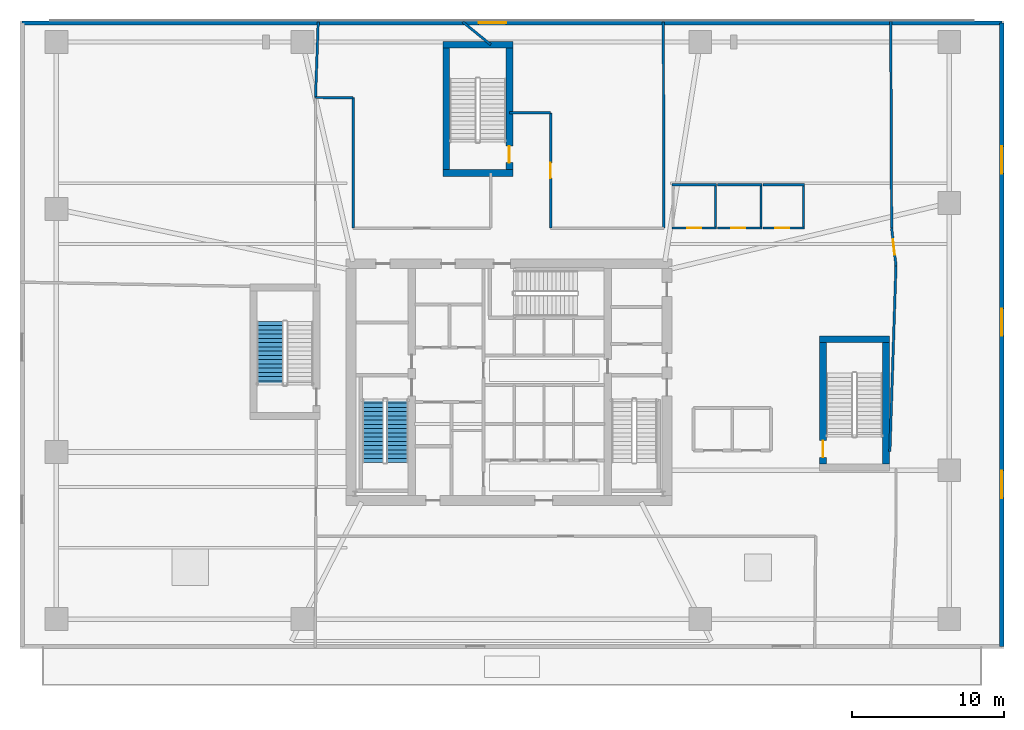
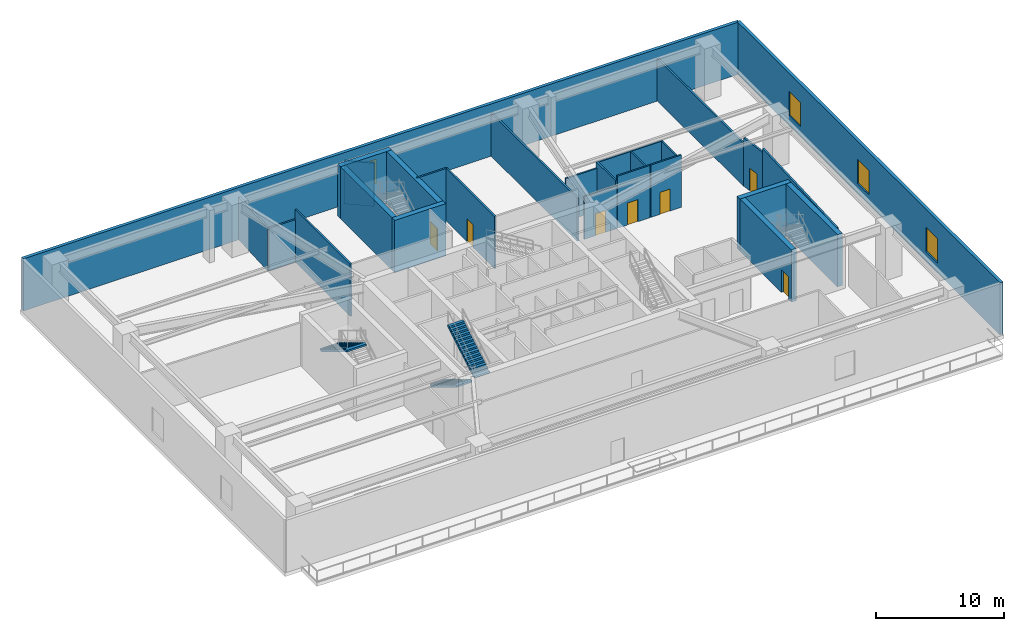
# One storey, part 6 of 11: 28 walls, 7 doors, 4 windows, 3 stair flights, 11 openings, 2 elements without a shape of their own.
"""IFC4 building model written with IfcOpenShell, lengths in metres."""

from ifc_helpers import new_model, si_unit, direction, frame, frame_2d, origin, place, context, subcontext, project, spatial, polyline, rectangle, outline, extrude, material, layer, layer_set, type_object, element, fill, aggregate, save


model = new_model("IFC4")

# Units and contexts
model_context = context("Model", 3, precision=1e-05, world=origin(), true_north=direction((0.0, 1.0)))
body_context = subcontext(model_context, "Body", "Model", "MODEL_VIEW")
ifc_project = project(units=[si_unit("LENGTHUNIT", "METRE"), si_unit("AREAUNIT", "SQUARE_METRE"), si_unit("VOLUMEUNIT", "CUBIC_METRE"), si_unit("PLANEANGLEUNIT", "RADIAN"), si_unit("MASSUNIT", "GRAM", prefix="KILO")], contexts=[model_context])

# Site, building, storey
site_placement = place(None, origin())
site = spatial("IfcSite", under=ifc_project, at=site_placement, CompositionType="ELEMENT")
building_placement = place(site_placement, origin())
building = spatial("IfcBuilding", under=site, at=building_placement, Name="Qarnah Convention Tower", CompositionType="ELEMENT")
storey_placement = place(building_placement, frame((0.0, 0.0, 16.199951171875)))
storey = spatial("IfcBuildingStorey", under=building, at=storey_placement, Name="L03", CompositionType="ELEMENT", Elevation=16.199951171875)

# Walls
ifc_material_1 = material(Name="Gypsum partition board")
ifc_layer_1 = layer(ifc_material_1, 0.159912109375)
ifc_layer_set_1 = layer_set([ifc_layer_1], Name="Gypsum partition board")
wall_type_1 = type_object("IfcWallType", Name="WL-CORR-160", PredefinedType="PARTITIONING", material=ifc_layer_set_1)
wall_1_placement = place(storey_placement, frame((24.4599609375, 45.139892578125, 0.0), z_axis=(0.0, 0.0, 1.0), x_axis=(0.035456038504, 0.999371236995, 0.0)))
element("IfcWall", 1, at=wall_1_placement, inside=storey, type_object=wall_type_1, Name="L03 interior wall IW-L03-R-14", PredefinedType="PARTITIONING", context=body_context, shape_type="SweptSolid", body=[
    extrude(rectangle(XDim=4.9921875, YDim=0.159912109375, at=frame_2d((2.49609375, 0.0))), origin(), (0.0, 0.0, 1.0), 4.06494140625),
])
wall_2_placement = place(storey_placement, frame((24.4599609375, 45.14501953125, 0.0), z_axis=(0.0, 0.0, 1.0), x_axis=(0.999997863068, -0.002067331672, 0.0)))
element("IfcWall", 2, at=wall_2_placement, inside=storey, type_object=wall_type_1, Name="L03 interior wall IW-L03-R-17", PredefinedType="PARTITIONING", context=body_context, shape_type="SweptSolid", body=[
    extrude(rectangle(XDim=2.47998046875, YDim=0.159912109375, at=frame_2d((1.239990234375, 0.0))), origin(), (0.0, 0.0, 1.0), 4.06494140625),
])
wall_3_placement = place(storey_placement, frame((26.93994140625, 45.139892578125, 0.0), z_axis=(0.0, 0.0, 1.0), x_axis=(0.0, -1.0, 0.0)))
element("IfcWall", 3, at=wall_3_placement, inside=storey, type_object=wall_type_1, Name="L03 interior wall IW-L03-R-18", PredefinedType="PARTITIONING", context=body_context, shape_type="SweptSolid", body=[
    extrude(rectangle(XDim=8.599853515625, YDim=0.159912109375, at=frame_2d((4.2998046875, 0.0))), origin(), (0.0, 0.0, 1.0), 4.97998046875),
])
wall_4_placement = place(storey_placement, frame((36.0, 48.625, 0.0), z_axis=(0.0, 0.0, 1.0), x_axis=(-0.775902978213, 0.630852255604, 0.0)))
element("IfcWall", 4, at=wall_4_placement, inside=storey, type_object=wall_type_1, Name="L03 interior wall IW-L03-R-21", PredefinedType="PARTITIONING", context=body_context, shape_type="SweptSolid", body=[
    extrude(rectangle(XDim=2.37158203125, YDim=0.159912109375, at=frame_2d((1.185791015625, 0.0))), origin(), (0.0, 0.0, 1.0), 4.12109375),
])
wall_5_placement = place(storey_placement, frame((37.22509765625, 44.139892578125, 0.0), z_axis=(0.0, 0.0, 1.0), x_axis=(1.0, 0.0, 0.0)))
element("IfcWall", 5, at=wall_5_placement, inside=storey, type_object=wall_type_1, Name="L03 interior wall IW-L03-R-22", PredefinedType="PARTITIONING", context=body_context, shape_type="SweptSolid", body=[
    extrude(rectangle(XDim=2.71484375, YDim=0.159912109375, at=frame_2d((1.357421875, 0.0))), origin(), (0.0, 0.0, 1.0), 4.97998046875),
])

# Wall, opening, door
wall_6_placement = place(storey_placement, frame((39.93994140625, 44.139892578125, 0.0), z_axis=(0.0, 0.0, 1.0), x_axis=(0.0, -1.0, 0.0)))
wall_6 = element("IfcWall", 6, at=wall_6_placement, inside=storey, type_object=wall_type_1, Name="L03 interior wall IW-L03-R-23", PredefinedType="PARTITIONING", context=body_context, shape_type="SweptSolid", body=[
    extrude(rectangle(XDim=7.599853515625, YDim=0.159912109375, at=frame_2d((3.7998046875, 0.0))), origin(), (0.0, 0.0, 1.0), 4.97998046875),
])
opening_1_placement = place(wall_6_placement, frame((3.300048828125, 0.0, 0.0)))
opening_1 = element("IfcOpeningElement", 7, at=opening_1_placement, cuts=wall_6, Name="Opening D-0326", PredefinedType="OPENING", context=body_context, shape_type="SweptSolid", body=[
    extrude(rectangle(XDim=1.0, YDim=2.14990234375, at=frame_2d((0.5, 1.074951171875))), frame((0.0, 0.08984375, 0.0), z_axis=(0.0, -1.0, 0.0), x_axis=(1.0, 0.0, 0.0)), (0.0, 0.0, 1.0), 0.179931640625),
])
ifc_material_2 = material(Name="Oak timber veneer", Category="wood")
door_type_1 = type_object("IfcDoorType", Name="DT-OFFICE-1000", OperationType="NOTDEFINED", PredefinedType="DOOR", material=ifc_material_2)
door_1_placement = place(opening_1_placement, origin())
door_1 = element("IfcDoor", 8, at=door_1_placement, inside=storey, type_object=door_type_1, Name="Door D-0326", OperationType="SINGLE_SWING_RIGHT", OverallHeight=2.14990234375, OverallWidth=1.0, PredefinedType="DOOR", context=body_context, shape_type="SweptSolid", body=[
    extrude(rectangle(XDim=1.0, YDim=2.14990234375, at=frame_2d((0.5, 1.074951171875))), frame((0.0, 0.02490234375, 0.0), z_axis=(0.0, -1.0, 0.0), x_axis=(1.0, 0.0, 0.0)), (0.0, 0.0, 1.0), 0.050048828125),
])
fill(opening_1, door_1)

# Walls
wall_7_placement = place(storey_placement, frame((47.39990234375, 36.5400390625, 0.0), z_axis=(0.0, 0.0, 1.0), x_axis=(-0.002354076283, 0.999997229159, 0.0)))
element("IfcWall", 9, at=wall_7_placement, inside=storey, type_object=wall_type_1, Name="L03 interior wall IW-L03-R-25", PredefinedType="PARTITIONING", context=body_context, shape_type="SweptSolid", body=[
    extrude(rectangle(XDim=13.5859375, YDim=0.159912109375, at=frame_2d((6.79296875, 0.0))), origin(), (0.0, 0.0, 1.0), 4.12109375),
])
wall_8_placement = place(storey_placement, frame((62.342041015625, 50.14501953125, 0.0), z_axis=(0.0, 0.0, 1.0), x_axis=(0.004252913481, -0.999990956323, 0.0)))
element("IfcWall", 10, at=wall_8_placement, inside=storey, type_object=wall_type_1, Name="L03 interior wall IW-L03-R-26", PredefinedType="PARTITIONING", context=body_context, shape_type="SweptSolid", body=[
    extrude(rectangle(XDim=13.605224609375, YDim=0.159912109375, at=frame_2d((6.802734375, 0.0))), origin(), (0.0, 0.0, 1.0), 4.06494140625),
])

# Wall, opening, door
wall_9_placement = place(storey_placement, frame((62.39990234375, 36.5400390625, 0.0), z_axis=(0.0, 0.0, 1.0), x_axis=(0.116160443909, -0.993230462315, 0.0)))
wall_9 = element("IfcWall", 11, at=wall_9_placement, inside=storey, type_object=wall_type_1, Name="L03 interior wall IW-L03-R-27", PredefinedType="PARTITIONING", context=body_context, shape_type="SweptSolid", body=[
    extrude(rectangle(XDim=2.496826171875, YDim=0.159912109375, at=frame_2d((1.24853515625, 0.0))), origin(), (0.0, 0.0, 1.0), 4.609130859375),
])
opening_2_placement = place(wall_9_placement, frame((0.748046875, 0.0, 0.0)))
opening_2 = element("IfcOpeningElement", 12, at=opening_2_placement, cuts=wall_9, Name="Opening D-0327", PredefinedType="OPENING", context=body_context, shape_type="SweptSolid", body=[
    extrude(rectangle(XDim=1.0, YDim=2.14990234375, at=frame_2d((0.5, 1.074951171875))), frame((0.0, 0.08984375, 0.0), z_axis=(0.0, -1.0, 0.0), x_axis=(1.0, 0.0, 0.0)), (0.0, 0.0, 1.0), 0.179931640625),
])
door_2_placement = place(opening_2_placement, origin())
door_2 = element("IfcDoor", 13, at=door_2_placement, inside=storey, type_object=door_type_1, Name="Door D-0327", OperationType="SINGLE_SWING_LEFT", OverallHeight=2.14990234375, OverallWidth=1.0, PredefinedType="DOOR", context=body_context, shape_type="SweptSolid", body=[
    extrude(rectangle(XDim=1.0, YDim=2.14990234375, at=frame_2d((0.5, 1.074951171875))), frame((0.0, 0.02490234375, 0.0), z_axis=(0.0, -1.0, 0.0), x_axis=(1.0, 0.0, 0.0)), (0.0, 0.0, 1.0), 0.050048828125),
])
fill(opening_2, door_2)

# Wall
wall_10_placement = place(storey_placement, frame((62.68603515625, 34.093017578125, 0.0), z_axis=(0.0, 0.0, 1.0), x_axis=(-0.032729804283, -0.999464236435, 0.0)))
element("IfcWall", 14, at=wall_10_placement, inside=storey, type_object=wall_type_1, Name="L03 interior wall IW-L03-R-28", PredefinedType="PARTITIONING", context=body_context, shape_type="SweptSolid", body=[
    extrude(rectangle(XDim=12.255615234375, YDim=0.159912109375, at=frame_2d((6.1279296875, 0.0))), origin(), (0.0, 0.0, 1.0), 4.97998046875),
])

# Wall, opening, window
ifc_material_3 = material(Name="Precast concrete C45/55", Category="concrete")
ifc_layer_2 = layer(ifc_material_3, 0.280029296875)
ifc_layer_set_2 = layer_set([ifc_layer_2], Name="Precast concrete C45/55")
wall_type_2 = type_object("IfcWallType", Name="WL-EXT-POD-280", PredefinedType="SOLIDWALL", material=ifc_layer_set_2)
wall_11_placement = place(storey_placement, frame((5.139892578125, 50.06005859375, 0.0), z_axis=(0.0, 0.0, 1.0), x_axis=(1.0, 0.0, 0.0)))
wall_11 = element("IfcWall", 15, at=wall_11_placement, inside=storey, type_object=wall_type_2, Name="L03 precast facade wall N", PredefinedType="SOLIDWALL", context=body_context, shape_type="SweptSolid", body=[
    extrude(rectangle(XDim=64.52001953125, YDim=0.280029296875, at=frame_2d((32.260009765625, 0.0))), origin(), (0.0, 0.0, 1.0), 4.97998046875),
])
opening_3_placement = place(wall_11_placement, frame((30.070068359375, 0.0, 0.949951171875)))
opening_3 = element("IfcOpeningElement", 16, at=opening_3_placement, cuts=wall_11, Name="Opening WN2", PredefinedType="OPENING", context=body_context, shape_type="SweptSolid", body=[
    extrude(rectangle(XDim=1.800048828125, YDim=2.300048828125, at=frame_2d((0.89990234375, 1.14990234375))), frame((0.0, 0.14990234375, 0.0), z_axis=(0.0, -1.0, 0.0), x_axis=(1.0, 0.0, 0.0)), (0.0, 0.0, 1.0), 0.300048828125),
])
ifc_material_4 = material(Name="Tempered Low-E dark glass", Category="glass")
window_type = type_object("IfcWindowType", Name="WT-POD-1800X2400", PartitioningType="SINGLE_PANEL", PredefinedType="WINDOW", material=ifc_material_4)
window_1_placement = place(opening_3_placement, origin())
window_1 = element("IfcWindow", 17, at=window_1_placement, inside=storey, type_object=window_type, Name="Window WIN-L03-N2", OverallHeight=2.300048828125, OverallWidth=1.800048828125, PartitioningType="SINGLE_PANEL", PredefinedType="WINDOW", context=body_context, shape_type="SweptSolid", body=[
    extrude(rectangle(XDim=1.800048828125, YDim=2.300048828125, at=frame_2d((0.89990234375, 1.14990234375))), frame((0.0, 0.030029296875, 0.0), z_axis=(0.0, -1.0, 0.0), x_axis=(1.0, 0.0, 0.0)), (0.0, 0.0, 1.0), 0.06005859375),
])
fill(opening_3, window_1)

# Wall, openings, windows
wall_12_placement = place(storey_placement, frame((69.659912109375, 50.06005859375, 0.0), z_axis=(0.0, 0.0, 1.0), x_axis=(0.0, -1.0, 0.0)))
wall_12 = element("IfcWall", 18, at=wall_12_placement, inside=storey, type_object=wall_type_2, Name="L03 precast facade wall E", PredefinedType="SOLIDWALL", context=body_context, shape_type="SweptSolid", body=[
    extrude(rectangle(XDim=41.070068359375, YDim=0.280029296875, at=frame_2d((20.53515625, 0.0))), origin(), (0.0, 0.0, 1.0), 4.97998046875),
])
opening_4_placement = place(wall_12_placement, frame((8.135009765625, 0.0, 0.949951171875)))
opening_4 = element("IfcOpeningElement", 19, at=opening_4_placement, cuts=wall_12, Name="Opening WN2", PredefinedType="OPENING", context=body_context, shape_type="SweptSolid", body=[
    extrude(rectangle(XDim=1.800048828125, YDim=2.300048828125, at=frame_2d((0.89990234375, 1.14990234375))), frame((0.0, 0.14990234375, 0.0), z_axis=(0.0, -1.0, 0.0), x_axis=(1.0, 0.0, 0.0)), (0.0, 0.0, 1.0), 0.300048828125),
])
opening_5_placement = place(wall_12_placement, frame((18.81396484375, 0.0, 0.949951171875)))
opening_5 = element("IfcOpeningElement", 20, at=opening_5_placement, cuts=wall_12, Name="Opening WN2", PredefinedType="OPENING", context=body_context, shape_type="SweptSolid", body=[
    extrude(rectangle(XDim=1.800048828125, YDim=2.300048828125, at=frame_2d((0.89990234375, 1.14990234375))), frame((0.0, 0.14990234375, 0.0), z_axis=(0.0, -1.0, 0.0), x_axis=(1.0, 0.0, 0.0)), (0.0, 0.0, 1.0), 0.300048828125),
])
opening_6_placement = place(wall_12_placement, frame((29.491943359375, 0.0, 0.949951171875)))
opening_6 = element("IfcOpeningElement", 21, at=opening_6_placement, cuts=wall_12, Name="Opening WN2", PredefinedType="OPENING", context=body_context, shape_type="SweptSolid", body=[
    extrude(rectangle(XDim=1.800048828125, YDim=2.300048828125, at=frame_2d((0.89990234375, 1.14990234375))), frame((0.0, 0.14990234375, 0.0), z_axis=(0.0, -1.0, 0.0), x_axis=(1.0, 0.0, 0.0)), (0.0, 0.0, 1.0), 0.300048828125),
])
window_2_placement = place(opening_4_placement, origin())
window_2 = element("IfcWindow", 22, at=window_2_placement, inside=storey, type_object=window_type, Name="Window WIN-L03-E1", OverallHeight=2.300048828125, OverallWidth=1.800048828125, PartitioningType="SINGLE_PANEL", PredefinedType="WINDOW", context=body_context, shape_type="SweptSolid", body=[
    extrude(rectangle(XDim=1.800048828125, YDim=2.300048828125, at=frame_2d((0.89990234375, 1.14990234375))), frame((0.0, 0.030029296875, 0.0), z_axis=(0.0, -1.0, 0.0), x_axis=(1.0, 0.0, 0.0)), (0.0, 0.0, 1.0), 0.06005859375),
])
fill(opening_4, window_2)
window_3_placement = place(opening_5_placement, origin())
window_3 = element("IfcWindow", 23, at=window_3_placement, inside=storey, type_object=window_type, Name="Window WIN-L03-E2", OverallHeight=2.300048828125, OverallWidth=1.800048828125, PartitioningType="SINGLE_PANEL", PredefinedType="WINDOW", context=body_context, shape_type="SweptSolid", body=[
    extrude(rectangle(XDim=1.800048828125, YDim=2.300048828125, at=frame_2d((0.89990234375, 1.14990234375))), frame((0.0, 0.030029296875, 0.0), z_axis=(0.0, -1.0, 0.0), x_axis=(1.0, 0.0, 0.0)), (0.0, 0.0, 1.0), 0.06005859375),
])
fill(opening_5, window_3)
window_4_placement = place(opening_6_placement, origin())
window_4 = element("IfcWindow", 24, at=window_4_placement, inside=storey, type_object=window_type, Name="Window WIN-L03-E3", OverallHeight=2.300048828125, OverallWidth=1.800048828125, PartitioningType="SINGLE_PANEL", PredefinedType="WINDOW", context=body_context, shape_type="SweptSolid", body=[
    extrude(rectangle(XDim=1.800048828125, YDim=2.300048828125, at=frame_2d((0.89990234375, 1.14990234375))), frame((0.0, 0.030029296875, 0.0), z_axis=(0.0, -1.0, 0.0), x_axis=(1.0, 0.0, 0.0)), (0.0, 0.0, 1.0), 0.06005859375),
])
fill(opening_6, window_4)

# Wall
ifc_material_5 = material(Name="Concrete C60/75", Category="concrete")
ifc_layer_3 = layer(ifc_material_5, 0.449951171875)
ifc_layer_set_3 = layer_set([ifc_layer_3], Name="Concrete C60/75")
wall_type_3 = type_object("IfcWallType", Name="WL-POD-CORE-450", PredefinedType="SHEAR", material=ifc_layer_set_3)
wall_13_placement = place(storey_placement, frame((57.64990234375, 29.22509765625, 0.0), z_axis=(0.0, 0.0, 1.0), x_axis=(1.0, 0.0, 0.0)))
element("IfcWall", 25, at=wall_13_placement, inside=storey, type_object=wall_type_3, Name="L03 podium stair ST-4 north wall", PredefinedType="SHEAR", context=body_context, shape_type="SweptSolid", body=[
    extrude(rectangle(XDim=4.60009765625, YDim=0.449951171875, at=frame_2d((2.300048828125, 0.0))), origin(), (0.0, 0.0, 1.0), 4.97998046875),
])

# Wall, opening, door
wall_14_placement = place(storey_placement, frame((57.875, 21.0, 0.0), z_axis=(0.0, 0.0, 1.0), x_axis=(0.0, 1.0, 0.0)))
wall_14 = element("IfcWall", 26, at=wall_14_placement, inside=storey, type_object=wall_type_3, Name="L03 podium stair ST-4 west wall", PredefinedType="SHEAR", context=body_context, shape_type="SweptSolid", body=[
    extrude(rectangle(XDim=8.0, YDim=0.449951171875, at=frame_2d((4.0, 0.0))), origin(), (0.0, 0.0, 1.0), 4.97998046875),
])
opening_7_placement = place(wall_14_placement, frame((0.449951171875, 0.0, 0.0)))
opening_7 = element("IfcOpeningElement", 27, at=opening_7_placement, cuts=wall_14, Name="Opening D-0316", PredefinedType="OPENING", context=body_context, shape_type="SweptSolid", body=[
    extrude(rectangle(XDim=1.10009765625, YDim=2.14990234375, at=frame_2d((0.550048828125, 1.074951171875))), frame((0.0, 0.23486328125, 0.0), z_axis=(0.0, -1.0, 0.0), x_axis=(1.0, 0.0, 0.0)), (0.0, 0.0, 1.0), 0.469970703125),
])
ifc_material_6 = material(Name="Structural steel S355JR", Category="steel")
door_type_2 = type_object("IfcDoorType", Name="DT-STAIR-1100", OperationType="NOTDEFINED", PredefinedType="DOOR", material=ifc_material_6)
door_3_placement = place(opening_7_placement, origin())
door_3 = element("IfcDoor", 28, at=door_3_placement, inside=storey, type_object=door_type_2, Name="Door D-0316", OperationType="SINGLE_SWING_LEFT", OverallHeight=2.14990234375, OverallWidth=1.10009765625, PredefinedType="DOOR", context=body_context, shape_type="SweptSolid", body=[
    extrude(rectangle(XDim=1.10009765625, YDim=2.14990234375, at=frame_2d((0.550048828125, 1.074951171875))), frame((0.0, 0.02490234375, 0.0), z_axis=(0.0, -1.0, 0.0), x_axis=(1.0, 0.0, 0.0)), (0.0, 0.0, 1.0), 0.050048828125),
])
fill(opening_7, door_3)

# Walls
wall_15_placement = place(storey_placement, frame((62.02490234375, 21.0, 0.0), z_axis=(0.0, 0.0, 1.0), x_axis=(0.0, 1.0, 0.0)))
element("IfcWall", 29, at=wall_15_placement, inside=storey, type_object=wall_type_3, Name="L03 podium stair ST-4 east wall", PredefinedType="SHEAR", context=body_context, shape_type="SweptSolid", body=[
    extrude(rectangle(XDim=8.0, YDim=0.449951171875, at=frame_2d((4.0, 0.0))), origin(), (0.0, 0.0, 1.0), 4.97998046875),
])
for number, where, z_axis, x_axis, name in (
    (30, (32.85009765625, 40.175048828125, 0.0), (0.0, 0.0, 1.0), (1.0, 0.0, 0.0), "L03 podium stair ST-6 south wall"),
    (31, (32.85009765625, 48.625, 0.0), (0.0, 0.0, 1.0), (1.0, 0.0, 0.0), "L03 podium stair ST-6 north wall"),
):
    element("IfcWall", number, at=place(storey_placement, frame(where, z_axis=z_axis, x_axis=x_axis)), inside=storey, type_object=wall_type_3, Name=name, PredefinedType="SHEAR", context=body_context, shape_type="SweptSolid", body=[
        extrude(rectangle(XDim=4.599853515625, YDim=0.449951171875, at=frame_2d((2.2998046875, 0.0))), origin(), (0.0, 0.0, 1.0), 4.97998046875),
    ])
wall_16_placement = place(storey_placement, frame((33.074951171875, 40.39990234375, 0.0), z_axis=(0.0, 0.0, 1.0), x_axis=(0.0, 1.0, 0.0)))
element("IfcWall", 32, at=wall_16_placement, inside=storey, type_object=wall_type_3, Name="L03 podium stair ST-6 west wall", PredefinedType="SHEAR", context=body_context, shape_type="SweptSolid", body=[
    extrude(rectangle(XDim=8.0, YDim=0.449951171875, at=frame_2d((4.0, 0.0))), origin(), (0.0, 0.0, 1.0), 4.97998046875),
])

# Wall, opening, door
wall_17_placement = place(storey_placement, frame((37.22509765625, 40.39990234375, 0.0), z_axis=(0.0, 0.0, 1.0), x_axis=(0.0, 1.0, 0.0)))
wall_17 = element("IfcWall", 33, at=wall_17_placement, inside=storey, type_object=wall_type_3, Name="L03 podium stair ST-6 east wall", PredefinedType="SHEAR", context=body_context, shape_type="SweptSolid", body=[
    extrude(rectangle(XDim=8.0, YDim=0.449951171875, at=frame_2d((4.0, 0.0))), origin(), (0.0, 0.0, 1.0), 4.97998046875),
])
opening_8_placement = place(wall_17_placement, frame((0.449951171875, 0.0, 0.0)))
opening_8 = element("IfcOpeningElement", 34, at=opening_8_placement, cuts=wall_17, Name="Opening D-0318", PredefinedType="OPENING", context=body_context, shape_type="SweptSolid", body=[
    extrude(rectangle(XDim=1.10009765625, YDim=2.14990234375, at=frame_2d((0.550048828125, 1.074951171875))), frame((0.0, 0.23486328125, 0.0), z_axis=(0.0, -1.0, 0.0), x_axis=(1.0, 0.0, 0.0)), (0.0, 0.0, 1.0), 0.469970703125),
])
door_4_placement = place(opening_8_placement, origin())
door_4 = element("IfcDoor", 35, at=door_4_placement, inside=storey, type_object=door_type_2, Name="Door D-0318", OperationType="SINGLE_SWING_LEFT", OverallHeight=2.14990234375, OverallWidth=1.10009765625, PredefinedType="DOOR", context=body_context, shape_type="SweptSolid", body=[
    extrude(rectangle(XDim=1.10009765625, YDim=2.14990234375, at=frame_2d((0.550048828125, 1.074951171875))), frame((0.0, 0.02490234375, 0.0), z_axis=(0.0, -1.0, 0.0), x_axis=(1.0, 0.0, 0.0)), (0.0, 0.0, 1.0), 0.050048828125),
])
fill(opening_8, door_4)

ifc_layer_4 = layer(ifc_material_1, 0.139892578125)
ifc_layer_set_4 = layer_set([ifc_layer_4], Name="Gypsum partition board")
wall_type_4 = type_object("IfcWallType", Name="WL-WET-140", PredefinedType="PARTITIONING", material=ifc_layer_set_4)
wall_18_placement = place(storey_placement, frame((47.929931640625, 36.550048828125, 0.0), z_axis=(0.0, 0.0, 1.0), x_axis=(1.0, 0.0, 0.0)))
wall_18 = element("IfcWall", 36, at=wall_18_placement, inside=storey, type_object=wall_type_4, Name="L03 interior wall IW-L03-WCM-1", PredefinedType="PARTITIONING", context=body_context, shape_type="SweptSolid", body=[
    extrude(rectangle(XDim=2.940185546875, YDim=0.139892578125, at=frame_2d((1.47021484375, 0.0))), origin(), (0.0, 0.0, 1.0), 4.06494140625),
])
opening_9_placement = place(wall_18_placement, frame((1.010009765625, 0.0, 0.0)))
opening_9 = element("IfcOpeningElement", 37, at=opening_9_placement, cuts=wall_18, Name="Opening D-0319", PredefinedType="OPENING", context=body_context, shape_type="SweptSolid", body=[
    extrude(rectangle(XDim=0.919921875, YDim=2.10009765625, at=frame_2d((0.4599609375, 1.050048828125))), frame((0.0, 0.079833984375, 0.0), z_axis=(0.0, -1.0, 0.0), x_axis=(1.0, 0.0, 0.0)), (0.0, 0.0, 1.0), 0.159912109375),
])
door_type_3 = type_object("IfcDoorType", Name="DT-WC-920", OperationType="NOTDEFINED", PredefinedType="DOOR", material=ifc_material_2)
door_5_placement = place(opening_9_placement, origin())
door_5 = element("IfcDoor", 38, at=door_5_placement, inside=storey, type_object=door_type_3, Name="Door D-0319", OperationType="SINGLE_SWING_RIGHT", OverallHeight=2.10009765625, OverallWidth=0.919921875, PredefinedType="DOOR", context=body_context, shape_type="SweptSolid", body=[
    extrude(rectangle(XDim=0.919921875, YDim=2.10009765625, at=frame_2d((0.4599609375, 1.050048828125))), frame((0.0, 0.02490234375, 0.0), z_axis=(0.0, -1.0, 0.0), x_axis=(1.0, 0.0, 0.0)), (0.0, 0.0, 1.0), 0.050048828125),
])
fill(opening_9, door_5)

# Walls
wall_19_placement = place(storey_placement, frame((50.800048828125, 36.47998046875, 0.0), z_axis=(0.0, 0.0, 1.0), x_axis=(0.0, 1.0, 0.0)))
element("IfcWall", 39, at=wall_19_placement, inside=storey, type_object=wall_type_4, Name="L03 interior wall IW-L03-WCM-2", PredefinedType="PARTITIONING", context=body_context, shape_type="SweptSolid", body=[
    extrude(rectangle(XDim=2.989990234375, YDim=0.139892578125, at=frame_2d((1.4951171875, 0.0))), origin(), (0.0, 0.0, 1.0), 4.609130859375),
])
wall_20_placement = place(storey_placement, frame((50.8701171875, 39.39990234375, 0.0), z_axis=(0.0, 0.0, 1.0), x_axis=(-1.0, 0.0, 0.0)))
element("IfcWall", 40, at=wall_20_placement, inside=storey, type_object=wall_type_4, Name="L03 interior wall IW-L03-WCM-3", PredefinedType="PARTITIONING", context=body_context, shape_type="SweptSolid", body=[
    extrude(rectangle(XDim=2.940185546875, YDim=0.139892578125, at=frame_2d((1.47021484375, 0.0))), origin(), (0.0, 0.0, 1.0), 4.06494140625),
])

# Wall, opening, door
wall_21_placement = place(storey_placement, frame((50.929931640625, 36.550048828125, 0.0), z_axis=(0.0, 0.0, 1.0), x_axis=(1.0, 0.0, 0.0)))
wall_21 = element("IfcWall", 41, at=wall_21_placement, inside=storey, type_object=wall_type_4, Name="L03 interior wall IW-L03-WCF-1", PredefinedType="PARTITIONING", context=body_context, shape_type="SweptSolid", body=[
    extrude(rectangle(XDim=2.940185546875, YDim=0.139892578125, at=frame_2d((1.47021484375, 0.0))), origin(), (0.0, 0.0, 1.0), 4.97998046875),
])
opening_10_placement = place(wall_21_placement, frame((0.89990234375, 0.0, 0.0)))
opening_10 = element("IfcOpeningElement", 42, at=opening_10_placement, cuts=wall_21, Name="Opening D-0320", PredefinedType="OPENING", context=body_context, shape_type="SweptSolid", body=[
    extrude(rectangle(XDim=0.919921875, YDim=2.10009765625, at=frame_2d((0.4599609375, 1.050048828125))), frame((0.0, 0.079833984375, 0.0), z_axis=(0.0, -1.0, 0.0), x_axis=(1.0, 0.0, 0.0)), (0.0, 0.0, 1.0), 0.159912109375),
])
door_6_placement = place(opening_10_placement, origin())
door_6 = element("IfcDoor", 43, at=door_6_placement, inside=storey, type_object=door_type_3, Name="Door D-0320", OperationType="SINGLE_SWING_LEFT", OverallHeight=2.10009765625, OverallWidth=0.919921875, PredefinedType="DOOR", context=body_context, shape_type="SweptSolid", body=[
    extrude(rectangle(XDim=0.919921875, YDim=2.10009765625, at=frame_2d((0.4599609375, 1.050048828125))), frame((0.0, 0.02490234375, 0.0), z_axis=(0.0, -1.0, 0.0), x_axis=(1.0, 0.0, 0.0)), (0.0, 0.0, 1.0), 0.050048828125),
])
fill(opening_10, door_6)

# Walls
wall_22_placement = place(storey_placement, frame((53.800048828125, 36.47998046875, 0.0), z_axis=(0.0, 0.0, 1.0), x_axis=(0.0, 1.0, 0.0)))
element("IfcWall", 44, at=wall_22_placement, inside=storey, type_object=wall_type_4, Name="L03 interior wall IW-L03-WCF-2", PredefinedType="PARTITIONING", context=body_context, shape_type="SweptSolid", body=[
    extrude(rectangle(XDim=2.989990234375, YDim=0.139892578125, at=frame_2d((1.4951171875, 0.0))), origin(), (0.0, 0.0, 1.0), 4.609130859375),
])
wall_23_placement = place(storey_placement, frame((53.8701171875, 39.39990234375, 0.0), z_axis=(0.0, 0.0, 1.0), x_axis=(-1.0, 0.0, 0.0)))
element("IfcWall", 45, at=wall_23_placement, inside=storey, type_object=wall_type_4, Name="L03 interior wall IW-L03-WCF-3", PredefinedType="PARTITIONING", context=body_context, shape_type="SweptSolid", body=[
    extrude(rectangle(XDim=2.940185546875, YDim=0.139892578125, at=frame_2d((1.47021484375, 0.0))), origin(), (0.0, 0.0, 1.0), 4.609130859375),
])

# Wall, opening, door
wall_24_placement = place(storey_placement, frame((53.929931640625, 36.550048828125, 0.0), z_axis=(0.0, 0.0, 1.0), x_axis=(1.0, 0.0, 0.0)))
wall_24 = element("IfcWall", 46, at=wall_24_placement, inside=storey, type_object=wall_type_4, Name="L03 interior wall IW-L03-WCA-1", PredefinedType="PARTITIONING", context=body_context, shape_type="SweptSolid", body=[
    extrude(rectangle(XDim=2.739990234375, YDim=0.139892578125, at=frame_2d((1.3701171875, 0.0))), origin(), (0.0, 0.0, 1.0), 4.97998046875),
])
opening_11_placement = place(wall_24_placement, frame((0.81396484375, 0.0, 0.0)))
opening_11 = element("IfcOpeningElement", 47, at=opening_11_placement, cuts=wall_24, Name="Opening D-0321", PredefinedType="OPENING", context=body_context, shape_type="SweptSolid", body=[
    extrude(rectangle(XDim=0.919921875, YDim=2.10009765625, at=frame_2d((0.4599609375, 1.050048828125))), frame((0.0, 0.079833984375, 0.0), z_axis=(0.0, -1.0, 0.0), x_axis=(1.0, 0.0, 0.0)), (0.0, 0.0, 1.0), 0.159912109375),
])
door_7_placement = place(opening_11_placement, origin())
door_7 = element("IfcDoor", 48, at=door_7_placement, inside=storey, type_object=door_type_3, Name="Door D-0321", OperationType="SINGLE_SWING_RIGHT", OverallHeight=2.10009765625, OverallWidth=0.919921875, PredefinedType="DOOR", context=body_context, shape_type="SweptSolid", body=[
    extrude(rectangle(XDim=0.919921875, YDim=2.10009765625, at=frame_2d((0.4599609375, 1.050048828125))), frame((0.0, 0.02490234375, 0.0), z_axis=(0.0, -1.0, 0.0), x_axis=(1.0, 0.0, 0.0)), (0.0, 0.0, 1.0), 0.050048828125),
])
fill(opening_11, door_7)

# Walls
wall_25_placement = place(storey_placement, frame((56.60009765625, 36.47998046875, 0.0), z_axis=(0.0, 0.0, 1.0), x_axis=(0.0, 1.0, 0.0)))
element("IfcWall", 49, at=wall_25_placement, inside=storey, type_object=wall_type_4, Name="L03 interior wall IW-L03-WCA-2", PredefinedType="PARTITIONING", context=body_context, shape_type="SweptSolid", body=[
    extrude(rectangle(XDim=2.989990234375, YDim=0.139892578125, at=frame_2d((1.4951171875, 0.0))), origin(), (0.0, 0.0, 1.0), 4.609130859375),
])
wall_26_placement = place(storey_placement, frame((56.669921875, 39.39990234375, 0.0), z_axis=(0.0, 0.0, 1.0), x_axis=(-1.0, 0.0, 0.0)))
element("IfcWall", 50, at=wall_26_placement, inside=storey, type_object=wall_type_4, Name="L03 interior wall IW-L03-WCA-3", PredefinedType="PARTITIONING", context=body_context, shape_type="SweptSolid", body=[
    extrude(rectangle(XDim=2.739990234375, YDim=0.139892578125, at=frame_2d((1.3701171875, 0.0))), origin(), (0.0, 0.0, 1.0), 4.609130859375),
])

# Stair, stair flights
ifc_material_7 = material(Name="Concrete C50/60", Category="concrete")
stair_type_1 = type_object("IfcStairType", Name="STR-POD", PredefinedType="HALF_TURN_STAIR", material=ifc_material_7)
stair_1_placement = place(storey_placement, origin())
stair_1 = element("IfcStair", 51, at=stair_1_placement, inside=storey, type_object=stair_type_1, Name="L03 Core exit stair ST-1", PredefinedType="HALF_TURN_STAIR")
stair_flight_type_1 = type_object("IfcStairFlightType", Name="FLT-POD", PredefinedType="STRAIGHT", material=ifc_material_7)
stair_flight_1_placement = place(storey_placement, frame((28.25, 25.300048828125, 0.0), z_axis=(0.0, 0.0, 1.0), x_axis=(0.0, -1.0, 0.0)))
stair_flight_1 = element("IfcStairFlight", 52, at=stair_flight_1_placement, type_object=stair_flight_type_1, Name="ST-1 flight 1", NumberOfRisers=16, NumberOfTreads=15, PredefinedType="STRAIGHT", RiserHeight=0.16875, TreadLength=0.28, context=body_context, shape_type="SweptSolid", body=[
    extrude(outline(polyline([(0.0, 0.0), (0.0, 0.168701171875), (0.280029296875, 0.168701171875), (0.280029296875, 0.33740234375), (0.56005859375, 0.33740234375), (0.56005859375, 0.50634765625), (0.840087890625, 0.50634765625), (0.840087890625, 0.675048828125), (1.1201171875, 0.675048828125), (1.1201171875, 0.84375), (1.39990234375, 0.84375), (1.39990234375, 1.012451171875), (1.679931640625, 1.012451171875), (1.679931640625, 1.18115234375), (1.9599609375, 1.18115234375), (1.9599609375, 1.35009765625), (2.239990234375, 1.35009765625), (2.239990234375, 1.518798828125), (2.52001953125, 1.518798828125), (2.52001953125, 1.6875), (2.800048828125, 1.6875), (2.800048828125, 1.856201171875), (3.080078125, 1.856201171875), (3.080078125, 2.02490234375), (3.360107421875, 2.02490234375), (3.360107421875, 2.19384765625), (3.639892578125, 2.19384765625), (3.639892578125, 2.362548828125), (3.919921875, 2.362548828125), (3.919921875, 2.53125), (4.199951171875, 2.53125), (4.199951171875, 2.699951171875), (4.199951171875, 2.356201171875), (0.29052734375, 0.0), (0.0, 0.0)])), frame((0.0, 0.699951171875, 0.0), z_axis=(0.0, -1.0, 0.0), x_axis=(1.0, 0.0, 0.0)), (0.0, 0.0, 1.0), 1.39990234375),
])
stair_flight_2_placement = place(storey_placement, frame((29.85009765625, 21.10009765625, 2.699951171875), z_axis=(0.0, 0.0, 1.0), x_axis=(0.0, 1.0, 0.0)))
stair_flight_2 = element("IfcStairFlight", 53, at=stair_flight_2_placement, type_object=stair_flight_type_1, Name="ST-1 flight 2", NumberOfRisers=16, NumberOfTreads=15, PredefinedType="STRAIGHT", RiserHeight=0.16875, TreadLength=0.28, context=body_context, shape_type="SweptSolid", body=[
    extrude(outline(polyline([(0.0, 0.0), (0.0, 0.168701171875), (0.280029296875, 0.168701171875), (0.280029296875, 0.33740234375), (0.56005859375, 0.33740234375), (0.56005859375, 0.50634765625), (0.840087890625, 0.50634765625), (0.840087890625, 0.675048828125), (1.1201171875, 0.675048828125), (1.1201171875, 0.84375), (1.39990234375, 0.84375), (1.39990234375, 1.012451171875), (1.679931640625, 1.012451171875), (1.679931640625, 1.18115234375), (1.9599609375, 1.18115234375), (1.9599609375, 1.35009765625), (2.239990234375, 1.35009765625), (2.239990234375, 1.518798828125), (2.52001953125, 1.518798828125), (2.52001953125, 1.6875), (2.800048828125, 1.6875), (2.800048828125, 1.856201171875), (3.080078125, 1.856201171875), (3.080078125, 2.02490234375), (3.360107421875, 2.02490234375), (3.360107421875, 2.19384765625), (3.639892578125, 2.19384765625), (3.639892578125, 2.362548828125), (3.919921875, 2.362548828125), (3.919921875, 2.53125), (4.199951171875, 2.53125), (4.199951171875, 2.699951171875), (4.199951171875, 2.356201171875), (0.29052734375, 0.0), (0.0, 0.0)])), frame((0.0, 0.699951171875, 0.0), z_axis=(0.0, -1.0, 0.0), x_axis=(1.0, 0.0, 0.0)), (0.0, 0.0, 1.0), 1.39990234375),
])
aggregate(stair_1, [stair_flight_1, stair_flight_2])

# Stair, stair flight
stair_type_2 = type_object("IfcStairType", Name="STR-PODW", PredefinedType="HALF_TURN_STAIR", material=ifc_material_7)
stair_2_placement = place(storey_placement, origin())
stair_2 = element("IfcStair", 54, at=stair_2_placement, inside=storey, type_object=stair_type_2, Name="L03 Podium west exhibition exit stair ST-5", PredefinedType="HALF_TURN_STAIR")
stair_flight_type_2 = type_object("IfcStairFlightType", Name="FLT-PODW", PredefinedType="STRAIGHT", material=ifc_material_7)
stair_flight_3_placement = place(storey_placement, frame((21.47509765625, 30.39990234375, 2.699951171875), z_axis=(0.0, 0.0, 1.0), x_axis=(0.0, -1.0, 0.0)))
stair_flight_3 = element("IfcStairFlight", 55, at=stair_flight_3_placement, type_object=stair_flight_type_2, Name="ST-5 flight 2", NumberOfRisers=16, NumberOfTreads=15, PredefinedType="STRAIGHT", RiserHeight=0.16875, TreadLength=0.28, context=body_context, shape_type="SweptSolid", body=[
    extrude(outline(polyline([(0.0, 0.0), (0.0, 0.168701171875), (0.280029296875, 0.168701171875), (0.280029296875, 0.33740234375), (0.56005859375, 0.33740234375), (0.56005859375, 0.50634765625), (0.840087890625, 0.50634765625), (0.840087890625, 0.675048828125), (1.1201171875, 0.675048828125), (1.1201171875, 0.84375), (1.39990234375, 0.84375), (1.39990234375, 1.012451171875), (1.679931640625, 1.012451171875), (1.679931640625, 1.18115234375), (1.9599609375, 1.18115234375), (1.9599609375, 1.35009765625), (2.239990234375, 1.35009765625), (2.239990234375, 1.518798828125), (2.52001953125, 1.518798828125), (2.52001953125, 1.6875), (2.800048828125, 1.6875), (2.800048828125, 1.856201171875), (3.080078125, 1.856201171875), (3.080078125, 2.02490234375), (3.360107421875, 2.02490234375), (3.360107421875, 2.19384765625), (3.639892578125, 2.19384765625), (3.639892578125, 2.362548828125), (3.919921875, 2.362548828125), (3.919921875, 2.53125), (4.199951171875, 2.53125), (4.199951171875, 2.699951171875), (4.199951171875, 2.356201171875), (0.29052734375, 0.0), (0.0, 0.0)])), frame((0.0, 0.875, 0.0), z_axis=(0.0, -1.0, 0.0), x_axis=(1.0, 0.0, 0.0)), (0.0, 0.0, 1.0), 1.75),
])
aggregate(stair_2, [stair_flight_3])

save(model, "model.ifc")
